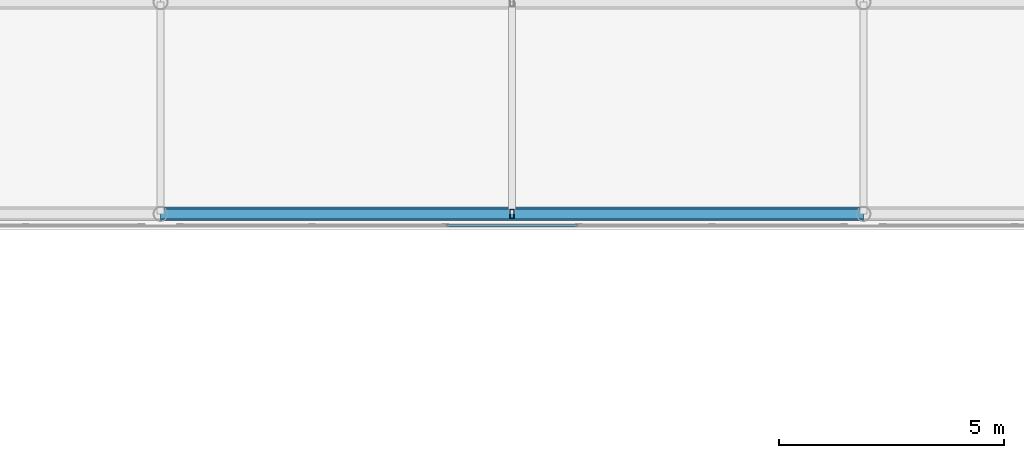
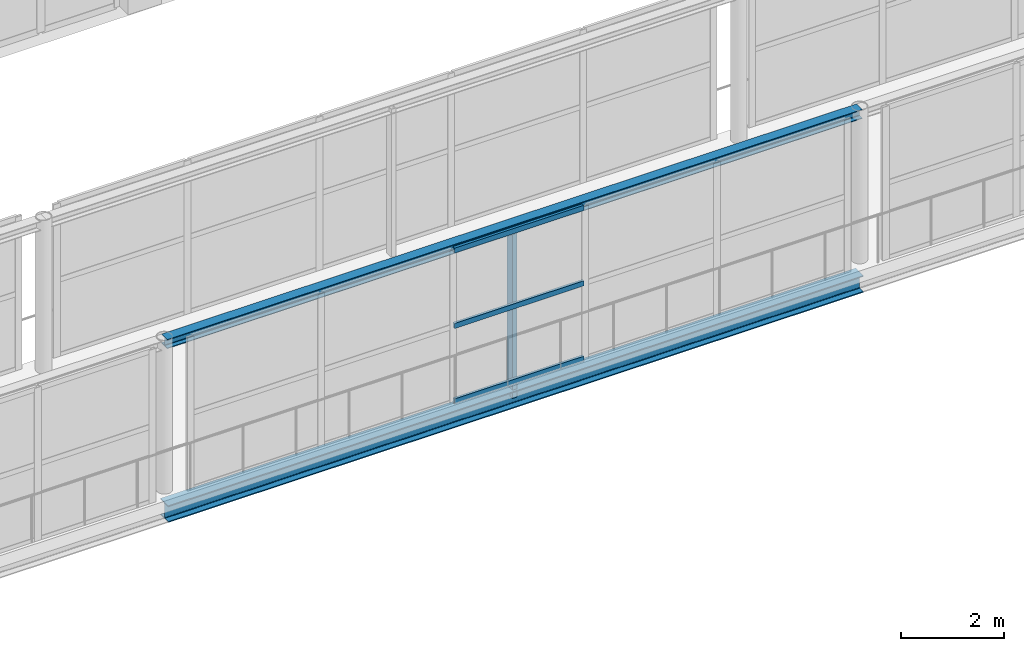
# One storey, part 69 of 167: 5 members, 1 beam, 1 element without a shape of its own.
"""IFC4 building model written with IfcOpenShell, lengths in metres."""

import ifcopenshell
import ifcopenshell.guid

model = None  # the IFC model being written
_history = None  # IfcOwnerHistory: only IFC2X3 demands one
_inside = {}  # id of a spatial element -> (the spatial element, [elements in it])
_under = {}  # id of a project, library or spatial element -> (it, [spatial elements below it])
_declared = {}  # id of a project -> (the project, [libraries it declares])
_typed = {}  # id of a type object -> (the type object, [elements of that type])
_made_of = {}  # id of a material, layer set ... -> (it, [elements and type objects made of it])


def new_model(schema):
    """Start an empty IFC model of exactly this schema.

    Asked for "IFC4X3", IfcOpenShell would pick the latest addendum, in which some entities
    have other attributes; the version numbers below select the first issue.
    IFC2X3 requires an IfcOwnerHistory on every rooted entity: one is made here for all.
    """
    global model, _history
    if schema == "IFC4X3":
        model = ifcopenshell.file(schema_version=(4, 3, 0, 0))
    else:
        model = ifcopenshell.file(schema=schema)
    _inside.clear()
    _under.clear()
    _declared.clear()
    _typed.clear()
    _made_of.clear()
    _history = None
    if model.schema == "IFC2X3":
        org = make("IfcOrganization", Name="unknown")
        user = make(
            "IfcPersonAndOrganization",
            ThePerson=make("IfcPerson", FamilyName="unknown"),
            TheOrganization=org,
        )
        app = make(
            "IfcApplication",
            ApplicationDeveloper=org,
            Version="unknown",
            ApplicationFullName="unknown",
            ApplicationIdentifier="unknown",
        )
        _history = make(
            "IfcOwnerHistory",
            OwningUser=user,
            OwningApplication=app,
            ChangeAction="ADDED",
            CreationDate=0,
        )
    return model


def make(cls, **values):
    """One entity of the class cls with the attributes given. An attribute that is None is left unset."""
    return model.create_entity(
        cls, **{name: value for name, value in values.items() if value is not None}
    )


def rooted(cls, **values):
    """An entity with a GlobalId (a new one), such as an element, a storey or a relation."""
    return make(cls, GlobalId=ifcopenshell.guid.new(), OwnerHistory=_history, **values)


def si_unit(unit_type, name, prefix=None):
    """IfcSIUnit, for example si_unit("LENGTHUNIT", "METRE", prefix="MILLI")."""
    return make("IfcSIUnit", UnitType=unit_type, Prefix=prefix, Name=name)


def assignment(units):
    """IfcUnitAssignment: the units of a project."""
    return None if units is None else make("IfcUnitAssignment", Units=units)


def point(xyz):
    """IfcCartesianPoint."""
    return None if xyz is None else make("IfcCartesianPoint", Coordinates=xyz)


def direction(xyz):
    """IfcDirection."""
    return None if xyz is None else make("IfcDirection", DirectionRatios=xyz)


def frame(location, z_axis=None, x_axis=None):
    """IfcAxis2Placement3D, a coordinate frame: its origin and axes. An axis left out is left unset."""
    return make(
        "IfcAxis2Placement3D",
        Location=point(location),
        Axis=direction(z_axis),
        RefDirection=direction(x_axis),
    )


def frame_2d(location, x_axis=None):
    """IfcAxis2Placement2D, a coordinate frame in the plane: its origin and x axis."""
    return make(
        "IfcAxis2Placement2D", Location=point(location), RefDirection=direction(x_axis)
    )


def origin():
    """The frame at (0, 0, 0) with its axes left unset."""
    return frame((0.0, 0.0, 0.0))


def origin_2d():
    """The frame at (0, 0) in the plane with its x axis left unset."""
    return frame_2d((0.0, 0.0))


def place(relative_to, where):
    """IfcLocalPlacement: puts the frame where relative to a parent placement (None: the world)."""
    return make(
        "IfcLocalPlacement", PlacementRelTo=relative_to, RelativePlacement=where
    )


def context(
    kind, dimensions, precision=None, world=None, true_north=None, identifier=None
):
    """IfcGeometricRepresentationContext, for example the 3D "Model" context."""
    return make(
        "IfcGeometricRepresentationContext",
        ContextIdentifier=identifier,
        ContextType=kind,
        CoordinateSpaceDimension=dimensions,
        Precision=precision,
        WorldCoordinateSystem=world,
        TrueNorth=true_north,
    )


def subcontext(parent, identifier, kind, view, scale=None):
    """IfcGeometricRepresentationSubContext, for example "Body" below "Model"."""
    return make(
        "IfcGeometricRepresentationSubContext",
        ContextIdentifier=identifier,
        ContextType=kind,
        ParentContext=parent,
        TargetScale=scale,
        TargetView=view,
    )


def project(units=None, contexts=None):
    """IfcProject with its units and contexts."""
    return rooted(
        "IfcProject",
        Name="project",
        RepresentationContexts=contexts,
        UnitsInContext=assignment(units),
    )


def spatial(cls, under=None, at=None, **own):
    """A site, building, storey or space (cls), placed at a placement, below another one or the project."""
    s = rooted(cls, ObjectPlacement=at, **own)
    if under is not None:
        _under.setdefault(under.id(), (under, []))[1].append(s)
    return s


def profile(cls, at=None, kind="AREA", **sizes):
    """A parametric profile (cls). Its sizes go by their IFC names, for example OverallWidth=200.0."""
    return make(cls, ProfileType=kind, Position=at, **sizes)


def hollow_rectangle(**sizes):
    """IfcRectangleHollowProfileDef."""
    return profile("IfcRectangleHollowProfileDef", **sizes)


def i_section(**sizes):
    """IfcIShapeProfileDef."""
    return profile("IfcIShapeProfileDef", **sizes)


def extrude(swept, where, along, depth):
    """IfcExtrudedAreaSolid: the profile swept, set in the frame where, extruded along a direction by depth."""
    return make(
        "IfcExtrudedAreaSolid",
        SweptArea=swept,
        Position=where,
        ExtrudedDirection=direction(along),
        Depth=depth,
    )


def shape(context_of_items, identifier, shape_type, items):
    """IfcShapeRepresentation: the items that make up one representation, for example the "Body"."""
    return make(
        "IfcShapeRepresentation",
        ContextOfItems=context_of_items,
        RepresentationIdentifier=identifier,
        RepresentationType=shape_type,
        Items=items,
    )


def material(Name=None, Category=None):
    """IfcMaterial."""
    return make("IfcMaterial", Name=Name, Category=Category)


def layer(
    of_material, thickness, ventilated=None, Name=None, Category=None, Priority=None
):
    """IfcMaterialLayer: one layer of a wall or slab, of a material (None: an air gap)."""
    return make(
        "IfcMaterialLayer",
        Material=of_material,
        LayerThickness=thickness,
        IsVentilated=ventilated,
        Name=Name,
        Category=Category,
        Priority=Priority,
    )


def layer_set(layers, Name=None):
    """IfcMaterialLayerSet."""
    return make("IfcMaterialLayerSet", MaterialLayers=layers, LayerSetName=Name)


def material_profile(
    of_material, cross_section, Name=None, Category=None, Priority=None
):
    """IfcMaterialProfile: a cross section and its material."""
    return make(
        "IfcMaterialProfile",
        Name=Name,
        Material=of_material,
        Profile=cross_section,
        Priority=Priority,
        Category=Category,
    )


def profile_set(profiles, Name=None, composite=None):
    """IfcMaterialProfileSet."""
    return make(
        "IfcMaterialProfileSet",
        Name=Name,
        MaterialProfiles=profiles,
        CompositeProfile=composite,
    )


def made_of(thing, what):
    """Note that an element or type object is made of a material, layer set ...; save() writes the relation."""
    if what is not None:
        _made_of.setdefault(what.id(), (what, []))[1].append(thing)
    return thing


def type_object(cls, material=None, **own):
    """A type object (cls), such as IfcWallType, which elements share."""
    return made_of(rooted(cls, **own), material)


def element(
    cls,
    number,
    at=None,
    inside=None,
    cuts=None,
    type_object=None,
    material=None,
    context=None,
    identifier="Body",
    shape_type=None,
    held_by="IfcProductDefinitionShape",
    body=None,
    shapes=None,
    **own,
):
    """One element of the class cls, such as IfcWall. Its Tag is "e" and its number.

    at: its placement. inside: the storey or other place that contains it. cuts: it is an
    opening in that element (IfcRelVoidsElement). A single representation is given by context,
    identifier, shape_type and body (its items); several are given by shapes. held_by: the class
    of the entity that holds the representations. save() writes the other relations.
    """
    e = rooted(cls, Tag="e%d" % number, ObjectPlacement=at, **own)
    if body is not None:
        shapes = [shape(context, identifier, shape_type, body)]
    if shapes is not None:
        e.Representation = make(held_by, Representations=shapes)
    if inside is not None:
        _inside.setdefault(inside.id(), (inside, []))[1].append(e)
    if cuts is not None:
        rooted(
            "IfcRelVoidsElement", RelatingBuildingElement=cuts, RelatedOpeningElement=e
        )
    if type_object is not None:
        _typed.setdefault(type_object.id(), (type_object, []))[1].append(e)
    return made_of(e, material)


def aggregate(whole, parts):
    """IfcRelAggregates: a whole, such as a stair, and the parts it consists of."""
    return rooted("IfcRelAggregates", RelatingObject=whole, RelatedObjects=parts)


def save(model, path):
    """Write the relations noted so far, then the file.

    IfcRelAggregates (storeys below a building ...), IfcRelContainedInSpatialStructure (elements
    in a storey), IfcRelDefinesByType, IfcRelAssociatesMaterial and IfcRelDeclares: one each for
    every whole, place, type object, material and project.
    """
    for whole, parts in _under.values():
        aggregate(whole, parts)
    for where, things in _inside.values():
        rooted(
            "IfcRelContainedInSpatialStructure",
            RelatedElements=things,
            RelatingStructure=where,
        )
    for kind, things in _typed.values():
        rooted("IfcRelDefinesByType", RelatedObjects=things, RelatingType=kind)
    for what, things in _made_of.values():
        rooted("IfcRelAssociatesMaterial", RelatedObjects=things, RelatingMaterial=what)
    for by, libraries in _declared.values():
        rooted("IfcRelDeclares", RelatingContext=by, RelatedDefinitions=libraries)
    model.write(path)


model = new_model("IFC4")

# Units and contexts
model_context = context("Model", 3, precision=1e-05, world=origin(), true_north=direction((0.0, 1.0)))
body_context = subcontext(model_context, "Body", "Model", "MODEL_VIEW")
ifc_project = project(units=[si_unit("LENGTHUNIT", "METRE"), si_unit("AREAUNIT", "SQUARE_METRE"), si_unit("VOLUMEUNIT", "CUBIC_METRE"), si_unit("PLANEANGLEUNIT", "RADIAN"), si_unit("MASSUNIT", "GRAM", prefix="KILO")], contexts=[model_context])

# Site, building, storey
site_placement = place(None, origin())
site = spatial("IfcSite", under=ifc_project, at=site_placement, CompositionType="ELEMENT")
building_placement = place(site_placement, origin())
building = spatial("IfcBuilding", under=site, at=building_placement, Name="Zizhar Promenade General Hospital", CompositionType="ELEMENT")
storey_placement = place(building_placement, frame((0.0, 0.0, 9.60009765625)))
storey = spatial("IfcBuildingStorey", under=building, at=storey_placement, Name="L02", CompositionType="ELEMENT", Elevation=9.60009765625)

# Beam
ifc_material_1 = material(Name="Steel S355", Category="steel")
ifc_material_profile_1 = material_profile(ifc_material_1, i_section(OverallWidth=0.300048828125, OverallDepth=0.39990234375, WebThickness=0.013427734375, FlangeThickness=0.02392578125, FilletRadius=0.027099609375, at=origin_2d()))
ifc_profile_set_1 = profile_set([ifc_material_profile_1], Name="Steel S355")
beam_type = type_object("IfcBeamType", Name="BM-STL-HEB400", PredefinedType="BEAM", material=ifc_profile_set_1)
beam_placement = place(storey_placement, frame((85.800048828125, 77.75, -0.5), z_axis=(1.0, 0.0, 0.0), x_axis=(0.0, 1.0, 0.0)))
element("IfcBeam", 1, at=beam_placement, inside=storey, type_object=beam_type, Name="SB-2 Bottom Chord 2S", PredefinedType="BEAM", context=body_context, shape_type="SweptSolid", body=[
    extrude(i_section(OverallWidth=0.300048828125, OverallDepth=0.39990234375, WebThickness=0.013427734375, FlangeThickness=0.02392578125, FilletRadius=0.027099609375, at=origin_2d()), origin(), (0.0, 0.0, 1.0), 15.599853515625),
])

# Curtain wall, members
ifc_material_2 = material(Name="Anodised aluminium 6063-T6 and low-E glass", Category="aluminium")
ifc_layer = layer(ifc_material_2, 0.159912109375)
ifc_layer_set = layer_set([ifc_layer], Name="Anodised aluminium 6063-T6 and low-E glass")
curtain_wall_type = type_object("IfcCurtainWallType", Name="CW-SKY-GLZ", PredefinedType="NOTDEFINED", material=ifc_layer_set)
curtain_wall_placement = place(storey_placement, origin())
curtain_wall = element("IfcCurtainWall", 2, at=curtain_wall_placement, inside=storey, type_object=curtain_wall_type, Name="Courtyard Surgical-Clinic Skybridge Level L02 South Glazing 2", PredefinedType="NOTDEFINED")
ifc_material_3 = material(Name="Anodised aluminium 6063-T6", Category="aluminium")
ifc_material_profile_2 = material_profile(ifc_material_3, hollow_rectangle(XDim=0.06005859375, YDim=0.1201171875, WallThickness=0.00390625, at=origin_2d()))
ifc_profile_set_2 = profile_set([ifc_material_profile_2], Name="Anodised aluminium 6063-T6")
member_type_1 = type_object("IfcMemberType", Name="CWT-ALU-120x60", PredefinedType="USERDEFINED", material=ifc_profile_set_2)
member_1_placement = place(storey_placement, frame((95.050048828125, 77.5, 0.02978515625), z_axis=(-1.0, 0.0, 0.0), x_axis=(0.0, -1.0, 0.0)))
member_1 = element("IfcMember", 3, at=member_1_placement, type_object=member_type_1, Name="CW-15 transom 3.1", ObjectType="TRANSOM", PredefinedType="USERDEFINED", context=body_context, shape_type="SweptSolid", body=[
    extrude(hollow_rectangle(XDim=0.06005859375, YDim=0.1201171875, WallThickness=0.00390625, at=origin_2d()), origin(), (0.0, 0.0, 1.0), 2.900146484375),
])
member_2_placement = place(storey_placement, frame((95.050048828125, 77.5, 1.81982421875), z_axis=(-1.0, 0.0, 0.0), x_axis=(0.0, -1.0, 0.0)))
member_2 = element("IfcMember", 4, at=member_2_placement, type_object=member_type_1, Name="CW-15 transom 3.2", ObjectType="TRANSOM", PredefinedType="USERDEFINED", context=body_context, shape_type="SweptSolid", body=[
    extrude(hollow_rectangle(XDim=0.06005859375, YDim=0.1201171875, WallThickness=0.00390625, at=origin_2d()), origin(), (0.0, 0.0, 1.0), 2.900146484375),
])
member_3_placement = place(storey_placement, frame((95.050048828125, 77.5, 3.60986328125), z_axis=(-1.0, 0.0, 0.0), x_axis=(0.0, -1.0, 0.0)))
member_3 = element("IfcMember", 5, at=member_3_placement, type_object=member_type_1, Name="CW-15 transom 3.3", ObjectType="TRANSOM", PredefinedType="USERDEFINED", context=body_context, shape_type="SweptSolid", body=[
    extrude(hollow_rectangle(XDim=0.06005859375, YDim=0.1201171875, WallThickness=0.00390625, at=origin_2d()), origin(), (0.0, 0.0, 1.0), 2.900146484375),
])
aggregate(curtain_wall, [member_1, member_2, member_3])

# Members
ifc_material_4 = material(Name="Steel S355", Category="steel")
ifc_material_profile_3 = material_profile(ifc_material_4, i_section(OverallWidth=0.219970703125, OverallDepth=0.219970703125, WebThickness=0.009521484375, FlangeThickness=0.01611328125, FilletRadius=0.01806640625, at=origin_2d()))
ifc_profile_set_3 = profile_set([ifc_material_profile_3], Name="Steel S355")
member_type_2 = type_object("IfcMemberType", Name="MEM-CHORD-HEB220", PredefinedType="CHORD", material=ifc_profile_set_3)
member_4_placement = place(storey_placement, frame((85.800048828125, 77.75, 3.510009765625), z_axis=(1.0, 0.0, 0.0), x_axis=(0.0, 1.0, 0.0)))
element("IfcMember", 6, at=member_4_placement, inside=storey, type_object=member_type_2, Name="SB-2 Top Chord 2S", PredefinedType="CHORD", context=body_context, shape_type="SweptSolid", body=[
    extrude(i_section(OverallWidth=0.219970703125, OverallDepth=0.219970703125, WebThickness=0.009521484375, FlangeThickness=0.01611328125, FilletRadius=0.01806640625, at=origin_2d()), origin(), (0.0, 0.0, 1.0), 15.599853515625),
])
ifc_material_5 = material(Name="Steel S355", Category="steel")
ifc_material_profile_4 = material_profile(ifc_material_5, hollow_rectangle(XDim=0.10009765625, YDim=0.199951171875, WallThickness=0.008056640625, at=origin_2d()))
ifc_profile_set_4 = profile_set([ifc_material_profile_4], Name="Steel S355")
member_type_3 = type_object("IfcMemberType", Name="MEM-STRUT-RHS200", PredefinedType="STRUT", material=ifc_profile_set_4)
member_5_placement = place(storey_placement, frame((93.60009765625, 77.75, -0.5), z_axis=(0.0, 0.0, 1.0), x_axis=(1.0, 0.0, 0.0)))
element("IfcMember", 7, at=member_5_placement, inside=storey, type_object=member_type_3, Name="SB-2 Vierendeel Post 2S", PredefinedType="STRUT", context=body_context, shape_type="SweptSolid", body=[
    extrude(hollow_rectangle(XDim=0.10009765625, YDim=0.199951171875, WallThickness=0.008056640625, at=origin_2d()), origin(), (0.0, 0.0, 1.0), 4.010009765625),
])

save(model, "model.ifc")
